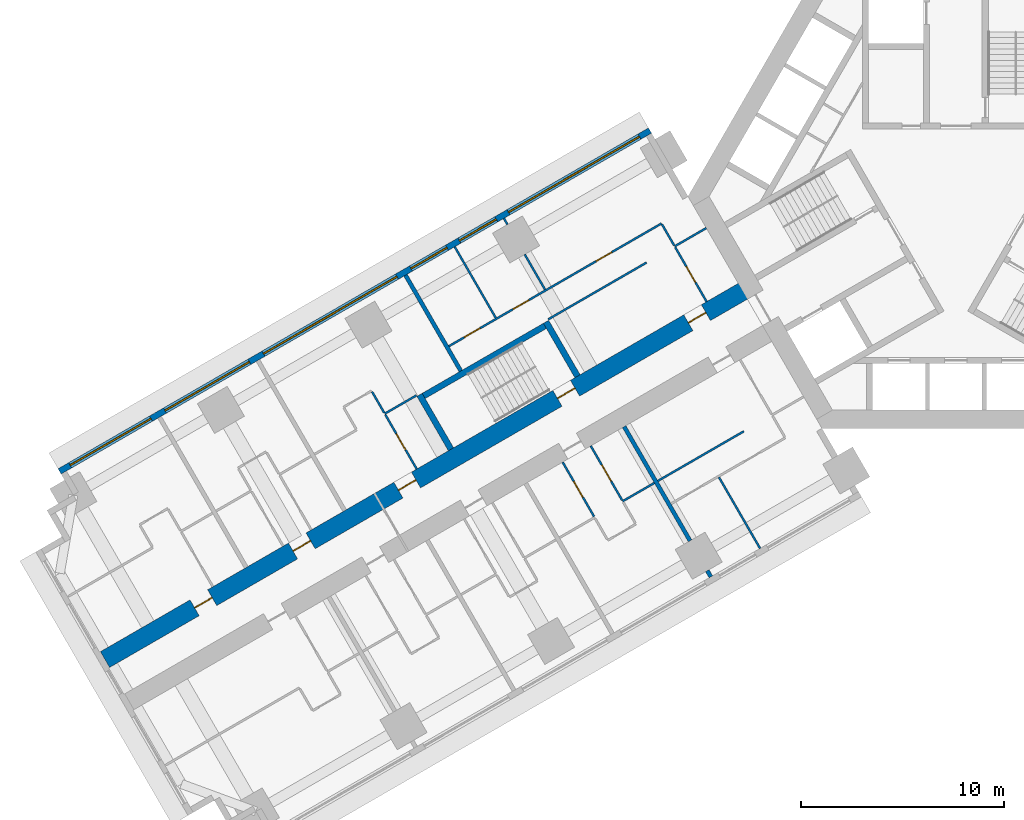
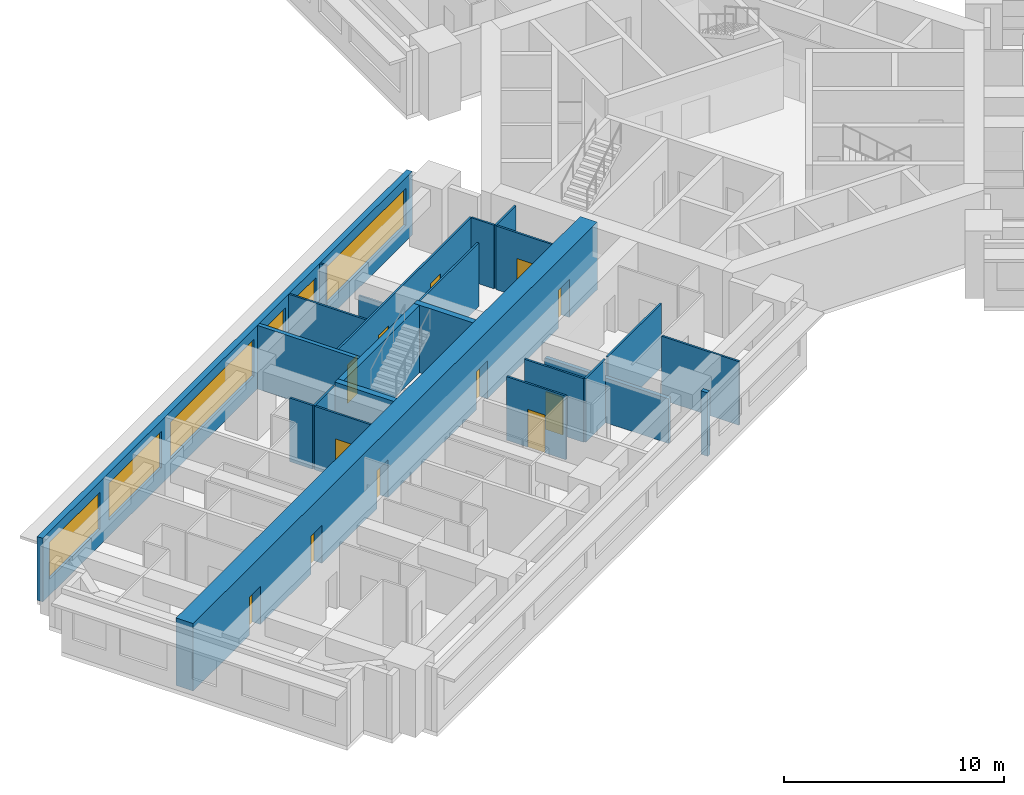
# One storey, part 5 of 16: 24 walls, 12 doors, 6 windows, 18 openings.
"""IFC4 building model written with IfcOpenShell, lengths in metres."""

from ifc_helpers import new_model, si_unit, direction, frame, frame_2d, origin, place, context, subcontext, project, spatial, rectangle, extrude, material, layer, layer_set, type_object, element, fill, save


model = new_model("IFC4")

# Units and contexts
model_context = context("Model", 3, precision=1e-05, world=origin(), true_north=direction((0.0, 1.0)))
body_context = subcontext(model_context, "Body", "Model", "MODEL_VIEW")
ifc_project = project(units=[si_unit("LENGTHUNIT", "METRE"), si_unit("AREAUNIT", "SQUARE_METRE"), si_unit("VOLUMEUNIT", "CUBIC_METRE"), si_unit("PLANEANGLEUNIT", "RADIAN"), si_unit("MASSUNIT", "GRAM", prefix="KILO")], contexts=[model_context])

# Site, building, storey
site_placement = place(None, origin())
site = spatial("IfcSite", under=ifc_project, at=site_placement, CompositionType="ELEMENT")
building_placement = place(site_placement, origin())
building = spatial("IfcBuilding", under=site, at=building_placement, Name="Impinga Residences", CompositionType="ELEMENT")
storey_placement = place(building_placement, frame((0.0, 0.0, 37.25)))
storey = spatial("IfcBuildingStorey", under=building, at=storey_placement, Name="L08", CompositionType="ELEMENT", Elevation=37.25)

# Wall, openings, doors
ifc_material_1 = material(Name="Concrete C70/85", Category="concrete")
ifc_layer_1 = layer(ifc_material_1, 0.89990234375)
ifc_layer_set_1 = layer_set([ifc_layer_1], Name="Concrete C70/85")
wall_type_1 = type_object("IfcWallType", Name="BW1 corridor buttress wall, L05 to L22 900", PredefinedType="SHEAR", material=ifc_layer_set_1)
wall_1_placement = place(storey_placement, frame((-10.1103515625, -4.451416015625, 0.0), z_axis=(0.0, 0.0, 1.0), x_axis=(-0.866025284237, -0.500000207062, 0.0)))
wall_1 = element("IfcWall", 1, at=wall_1_placement, inside=storey, type_object=wall_type_1, Name="Corridor wall BW1 WD L08", PredefinedType="SHEAR", context=body_context, shape_type="SweptSolid", body=[
    extrude(rectangle(XDim=36.75, YDim=0.89990234375, at=frame_2d((18.375, 0.0))), origin(), (0.0, 0.0, 1.0), 3.75),
])
opening_1_placement = place(wall_1_placement, frame((10.0, 0.0, 0.0)))
opening_1 = element("IfcOpeningElement", 2, at=opening_1_placement, cuts=wall_1, Name="Opening D5", PredefinedType="OPENING", context=body_context, shape_type="SweptSolid", body=[
    extrude(rectangle(XDim=1.0, YDim=2.10009765625, at=frame_2d((0.5, 1.050048828125))), frame((0.0, 0.4599609375, 0.0), z_axis=(0.0, -1.0, 0.0), x_axis=(1.0, 0.0, 0.0)), (0.0, 0.0, 1.0), 0.919921875),
])
opening_2_placement = place(wall_1_placement, frame((2.550048828125, 0.0, 0.0)))
opening_2 = element("IfcOpeningElement", 3, at=opening_2_placement, cuts=wall_1, Name="Opening D1", PredefinedType="OPENING", context=body_context, shape_type="SweptSolid", body=[
    extrude(rectangle(XDim=1.0, YDim=2.10009765625, at=frame_2d((0.5, 1.050048828125))), frame((0.0, 0.4599609375, 0.0), z_axis=(0.0, -1.0, 0.0), x_axis=(1.0, 0.0, 0.0)), (0.0, 0.0, 1.0), 0.919921875),
])
opening_3_placement = place(wall_1_placement, frame((19.050048828125, 0.0, 0.0)))
opening_3 = element("IfcOpeningElement", 4, at=opening_3_placement, cuts=wall_1, Name="Opening D1", PredefinedType="OPENING", context=body_context, shape_type="SweptSolid", body=[
    extrude(rectangle(XDim=1.0, YDim=2.10009765625, at=frame_2d((0.5, 1.050048828125))), frame((0.0, 0.4599609375, 0.0), z_axis=(0.0, -1.0, 0.0), x_axis=(1.0, 0.0, 0.0)), (0.0, 0.0, 1.0), 0.919921875),
])
opening_4_placement = place(wall_1_placement, frame((25.050048828125, 0.0, 0.0)))
opening_4 = element("IfcOpeningElement", 5, at=opening_4_placement, cuts=wall_1, Name="Opening D1", PredefinedType="OPENING", context=body_context, shape_type="SweptSolid", body=[
    extrude(rectangle(XDim=1.0, YDim=2.10009765625, at=frame_2d((0.5, 1.050048828125))), frame((0.0, 0.4599609375, 0.0), z_axis=(0.0, -1.0, 0.0), x_axis=(1.0, 0.0, 0.0)), (0.0, 0.0, 1.0), 0.919921875),
])
opening_5_placement = place(wall_1_placement, frame((30.64990234375, 0.0, 0.0)))
opening_5 = element("IfcOpeningElement", 6, at=opening_5_placement, cuts=wall_1, Name="Opening D1", PredefinedType="OPENING", context=body_context, shape_type="SweptSolid", body=[
    extrude(rectangle(XDim=1.0, YDim=2.10009765625, at=frame_2d((0.5, 1.050048828125))), frame((0.0, 0.4599609375, 0.0), z_axis=(0.0, -1.0, 0.0), x_axis=(1.0, 0.0, 0.0)), (0.0, 0.0, 1.0), 0.919921875),
])
ifc_material_2 = material(Name="Timber door set", Category="wood")
door_type_1 = type_object("IfcDoorType", Name="D1 apartment entrance door 1000x2100", OperationType="SINGLE_SWING_LEFT", PredefinedType="DOOR", material=ifc_material_2)
door_1_placement = place(opening_2_placement, origin())
door_1 = element("IfcDoor", 7, at=door_1_placement, inside=storey, type_object=door_type_1, Name="Apartment L08-WF1 entrance", OperationType="SINGLE_SWING_LEFT", OverallHeight=2.10009765625, OverallWidth=1.0, PredefinedType="DOOR", context=body_context, shape_type="SweptSolid", body=[
    extrude(rectangle(XDim=1.0, YDim=2.10009765625, at=frame_2d((0.5, 1.050048828125))), frame((0.0, 0.02490234375, 0.0), z_axis=(0.0, -1.0, 0.0), x_axis=(1.0, 0.0, 0.0)), (0.0, 0.0, 1.0), 0.050048828125),
])
fill(opening_2, door_1)
door_2_placement = place(opening_3_placement, origin())
door_2 = element("IfcDoor", 8, at=door_2_placement, inside=storey, type_object=door_type_1, Name="Apartment L08-WF2 entrance", OperationType="SINGLE_SWING_RIGHT", OverallHeight=2.10009765625, OverallWidth=1.0, PredefinedType="DOOR", context=body_context, shape_type="SweptSolid", body=[
    extrude(rectangle(XDim=1.0, YDim=2.10009765625, at=frame_2d((0.5, 1.050048828125))), frame((0.0, 0.02490234375, 0.0), z_axis=(0.0, -1.0, 0.0), x_axis=(1.0, 0.0, 0.0)), (0.0, 0.0, 1.0), 0.050048828125),
])
fill(opening_3, door_2)
door_3_placement = place(opening_4_placement, origin())
door_3 = element("IfcDoor", 9, at=door_3_placement, inside=storey, type_object=door_type_1, Name="Apartment L08-WF3 entrance", OperationType="SINGLE_SWING_RIGHT", OverallHeight=2.10009765625, OverallWidth=1.0, PredefinedType="DOOR", context=body_context, shape_type="SweptSolid", body=[
    extrude(rectangle(XDim=1.0, YDim=2.10009765625, at=frame_2d((0.5, 1.050048828125))), frame((0.0, 0.02490234375, 0.0), z_axis=(0.0, -1.0, 0.0), x_axis=(1.0, 0.0, 0.0)), (0.0, 0.0, 1.0), 0.050048828125),
])
fill(opening_4, door_3)
door_4_placement = place(opening_5_placement, origin())
door_4 = element("IfcDoor", 10, at=door_4_placement, inside=storey, type_object=door_type_1, Name="Apartment L08-WF4 entrance", OperationType="SINGLE_SWING_RIGHT", OverallHeight=2.10009765625, OverallWidth=1.0, PredefinedType="DOOR", context=body_context, shape_type="SweptSolid", body=[
    extrude(rectangle(XDim=1.0, YDim=2.10009765625, at=frame_2d((0.5, 1.050048828125))), frame((0.0, 0.02490234375, 0.0), z_axis=(0.0, -1.0, 0.0), x_axis=(1.0, 0.0, 0.0)), (0.0, 0.0, 1.0), 0.050048828125),
])
fill(opening_5, door_4)
door_type_2 = type_object("IfcDoorType", Name="D5 stair door 1000x2100", OperationType="SINGLE_SWING_LEFT", PredefinedType="DOOR", material=ifc_material_2)
door_5_placement = place(opening_1_placement, origin())
door_5 = element("IfcDoor", 11, at=door_5_placement, inside=storey, type_object=door_type_2, Name="Wing stair door W", OperationType="SINGLE_SWING_LEFT", OverallHeight=2.10009765625, OverallWidth=1.0, PredefinedType="DOOR", context=body_context, shape_type="SweptSolid", body=[
    extrude(rectangle(XDim=1.0, YDim=2.10009765625, at=frame_2d((0.5, 1.050048828125))), frame((0.0, 0.02490234375, 0.0), z_axis=(0.0, -1.0, 0.0), x_axis=(1.0, 0.0, 0.0)), (0.0, 0.0, 1.0), 0.050048828125),
])
fill(opening_1, door_5)

# Wall, openings, windows
ifc_material_3 = material(Name="Terracotta rainscreen on blockwork", Category="masonry")
ifc_layer_2 = layer(ifc_material_3, 0.300048828125)
ifc_layer_set_2 = layer_set([ifc_layer_2], Name="EW1 external wall, terracotta rainscreen on blockwork 300")
wall_type_2 = type_object("IfcWallType", Name="EW1 external wall, terracotta rainscreen on blockwork 300", PredefinedType="SOLIDWALL", material=ifc_layer_set_2)
wall_2_placement = place(storey_placement, frame((-44.17333984375, -13.552490234375, 0.0), z_axis=(0.0, 0.0, 1.0), x_axis=(0.866024291668, 0.500001926238, 0.0)))
wall_2 = element("IfcWall", 12, at=wall_2_placement, inside=storey, type_object=wall_type_2, Name="External wall EW1 L08", PredefinedType="SOLIDWALL", context=body_context, shape_type="SweptSolid", body=[
    extrude(rectangle(XDim=33.599853515625, YDim=0.300048828125, at=frame_2d((16.7998046875, 0.0))), origin(), (0.0, 0.0, 1.0), 3.530029296875),
])
opening_6_placement = place(wall_2_placement, frame((0.60009765625, 0.0, 0.89990234375)))
opening_6 = element("IfcOpeningElement", 13, at=opening_6_placement, cuts=wall_2, Name="Opening W3", PredefinedType="OPENING", context=body_context, shape_type="SweptSolid", body=[
    extrude(rectangle(XDim=4.60009765625, YDim=2.050048828125, at=frame_2d((2.300048828125, 1.02490234375))), frame((0.0, 0.159912109375, 0.0), z_axis=(0.0, -1.0, 0.0), x_axis=(1.0, 0.0, 0.0)), (0.0, 0.0, 1.0), 0.320068359375),
])
opening_7_placement = place(wall_2_placement, frame((6.0, 0.0, 0.89990234375)))
opening_7 = element("IfcOpeningElement", 14, at=opening_7_placement, cuts=wall_2, Name="Opening W8", PredefinedType="OPENING", context=body_context, shape_type="SweptSolid", body=[
    extrude(rectangle(XDim=4.800048828125, YDim=2.050048828125, at=frame_2d((2.39990234375, 1.02490234375))), frame((0.0, 0.159912109375, 0.0), z_axis=(0.0, -1.0, 0.0), x_axis=(1.0, 0.0, 0.0)), (0.0, 0.0, 1.0), 0.320068359375),
])
opening_8_placement = place(wall_2_placement, frame((11.60009765625, 0.0, 0.89990234375)))
opening_8 = element("IfcOpeningElement", 15, at=opening_8_placement, cuts=wall_2, Name="Opening W5", PredefinedType="OPENING", context=body_context, shape_type="SweptSolid", body=[
    extrude(rectangle(XDim=7.60009765625, YDim=2.050048828125, at=frame_2d((3.800048828125, 1.02490234375))), frame((0.0, 0.159912109375, 0.0), z_axis=(0.0, -1.0, 0.0), x_axis=(1.0, 0.0, 0.0)), (0.0, 0.0, 1.0), 0.320068359375),
])
opening_9_placement = place(wall_2_placement, frame((20.0, 0.0, 0.89990234375)))
opening_9 = element("IfcOpeningElement", 16, at=opening_9_placement, cuts=wall_2, Name="Opening W14", PredefinedType="OPENING", context=body_context, shape_type="SweptSolid", body=[
    extrude(rectangle(XDim=2.050048828125, YDim=2.050048828125, at=frame_2d((1.02490234375, 1.02490234375))), frame((0.0, 0.159912109375, 0.0), z_axis=(0.0, -1.0, 0.0), x_axis=(1.0, 0.0, 0.0)), (0.0, 0.0, 1.0), 0.320068359375),
])
opening_10_placement = place(wall_2_placement, frame((22.75, 0.0, 0.89990234375)))
opening_10 = element("IfcOpeningElement", 17, at=opening_10_placement, cuts=wall_2, Name="Opening W9", PredefinedType="OPENING", context=body_context, shape_type="SweptSolid", body=[
    extrude(rectangle(XDim=2.10009765625, YDim=2.050048828125, at=frame_2d((1.050048828125, 1.02490234375))), frame((0.0, 0.159912109375, 0.0), z_axis=(0.0, -1.0, 0.0), x_axis=(1.0, 0.0, 0.0)), (0.0, 0.0, 1.0), 0.320068359375),
])
opening_11_placement = place(wall_2_placement, frame((25.550048828125, 0.0, 0.89990234375)))
opening_11 = element("IfcOpeningElement", 18, at=opening_11_placement, cuts=wall_2, Name="Opening W7", PredefinedType="OPENING", context=body_context, shape_type="SweptSolid", body=[
    extrude(rectangle(XDim=7.449951171875, YDim=2.050048828125, at=frame_2d((3.72509765625, 1.02490234375))), frame((0.0, 0.159912109375, 0.0), z_axis=(0.0, -1.0, 0.0), x_axis=(1.0, 0.0, 0.0)), (0.0, 0.0, 1.0), 0.320068359375),
])
ifc_material_4 = material(Name="Aluminium window, clear double glazing", Category="aluminium")
window_type_1 = type_object("IfcWindowType", Name="W14 ribbon window 2050x2050", PartitioningType="SINGLE_PANEL", PredefinedType="WINDOW", material=ifc_material_4)
window_1_placement = place(opening_9_placement, origin())
window_1 = element("IfcWindow", 19, at=window_1_placement, inside=storey, type_object=window_type_1, Name="Window L08", OverallHeight=2.050048828125, OverallWidth=2.050048828125, PartitioningType="SINGLE_PANEL", PredefinedType="WINDOW", context=body_context, shape_type="SweptSolid", body=[
    extrude(rectangle(XDim=2.050048828125, YDim=2.050048828125, at=frame_2d((1.02490234375, 1.02490234375))), frame((0.0, 0.030029296875, 0.0), z_axis=(0.0, -1.0, 0.0), x_axis=(1.0, 0.0, 0.0)), (0.0, 0.0, 1.0), 0.06005859375),
])
fill(opening_9, window_1)
window_type_2 = type_object("IfcWindowType", Name="W3 ribbon window 4600x2050", PartitioningType="SINGLE_PANEL", PredefinedType="WINDOW", material=ifc_material_4)
window_2_placement = place(opening_6_placement, origin())
window_2 = element("IfcWindow", 20, at=window_2_placement, inside=storey, type_object=window_type_2, Name="Window L08", OverallHeight=2.050048828125, OverallWidth=4.60009765625, PartitioningType="SINGLE_PANEL", PredefinedType="WINDOW", context=body_context, shape_type="SweptSolid", body=[
    extrude(rectangle(XDim=4.60009765625, YDim=2.050048828125, at=frame_2d((2.300048828125, 1.02490234375))), frame((0.0, 0.030029296875, 0.0), z_axis=(0.0, -1.0, 0.0), x_axis=(1.0, 0.0, 0.0)), (0.0, 0.0, 1.0), 0.06005859375),
])
fill(opening_6, window_2)
window_type_3 = type_object("IfcWindowType", Name="W5 ribbon window 7600x2050", PartitioningType="SINGLE_PANEL", PredefinedType="WINDOW", material=ifc_material_4)
window_3_placement = place(opening_8_placement, origin())
window_3 = element("IfcWindow", 21, at=window_3_placement, inside=storey, type_object=window_type_3, Name="Window L08", OverallHeight=2.050048828125, OverallWidth=7.60009765625, PartitioningType="SINGLE_PANEL", PredefinedType="WINDOW", context=body_context, shape_type="SweptSolid", body=[
    extrude(rectangle(XDim=7.60009765625, YDim=2.050048828125, at=frame_2d((3.800048828125, 1.02490234375))), frame((0.0, 0.030029296875, 0.0), z_axis=(0.0, -1.0, 0.0), x_axis=(1.0, 0.0, 0.0)), (0.0, 0.0, 1.0), 0.06005859375),
])
fill(opening_8, window_3)
window_type_4 = type_object("IfcWindowType", Name="W7 ribbon window 7450x2050", PartitioningType="SINGLE_PANEL", PredefinedType="WINDOW", material=ifc_material_4)
window_4_placement = place(opening_11_placement, origin())
window_4 = element("IfcWindow", 22, at=window_4_placement, inside=storey, type_object=window_type_4, Name="Window L08", OverallHeight=2.050048828125, OverallWidth=7.449951171875, PartitioningType="SINGLE_PANEL", PredefinedType="WINDOW", context=body_context, shape_type="SweptSolid", body=[
    extrude(rectangle(XDim=7.449951171875, YDim=2.050048828125, at=frame_2d((3.72509765625, 1.02490234375))), frame((0.0, 0.030029296875, 0.0), z_axis=(0.0, -1.0, 0.0), x_axis=(1.0, 0.0, 0.0)), (0.0, 0.0, 1.0), 0.06005859375),
])
fill(opening_11, window_4)
window_type_5 = type_object("IfcWindowType", Name="W8 ribbon window 4800x2050", PartitioningType="SINGLE_PANEL", PredefinedType="WINDOW", material=ifc_material_4)
window_5_placement = place(opening_7_placement, origin())
window_5 = element("IfcWindow", 23, at=window_5_placement, inside=storey, type_object=window_type_5, Name="Window L08", OverallHeight=2.050048828125, OverallWidth=4.800048828125, PartitioningType="SINGLE_PANEL", PredefinedType="WINDOW", context=body_context, shape_type="SweptSolid", body=[
    extrude(rectangle(XDim=4.800048828125, YDim=2.050048828125, at=frame_2d((2.39990234375, 1.02490234375))), frame((0.0, 0.030029296875, 0.0), z_axis=(0.0, -1.0, 0.0), x_axis=(1.0, 0.0, 0.0)), (0.0, 0.0, 1.0), 0.06005859375),
])
fill(opening_7, window_5)
window_type_6 = type_object("IfcWindowType", Name="W9 ribbon window 2100x2050", PartitioningType="SINGLE_PANEL", PredefinedType="WINDOW", material=ifc_material_4)
window_6_placement = place(opening_10_placement, origin())
window_6 = element("IfcWindow", 24, at=window_6_placement, inside=storey, type_object=window_type_6, Name="Window L08", OverallHeight=2.050048828125, OverallWidth=2.10009765625, PartitioningType="SINGLE_PANEL", PredefinedType="WINDOW", context=body_context, shape_type="SweptSolid", body=[
    extrude(rectangle(XDim=2.10009765625, YDim=2.050048828125, at=frame_2d((1.050048828125, 1.02490234375))), frame((0.0, 0.030029296875, 0.0), z_axis=(0.0, -1.0, 0.0), x_axis=(1.0, 0.0, 0.0)), (0.0, 0.0, 1.0), 0.06005859375),
])
fill(opening_10, window_6)

# Walls
ifc_material_5 = material(Name="Gypsum board on steel studs", Category="steel")
ifc_layer_3 = layer(ifc_material_5, 0.10009765625)
ifc_layer_set_3 = layer_set([ifc_layer_3], Name="Gypsum board on steel studs")
wall_type_3 = type_object("IfcWallType", Name="IP1 partition 100", PredefinedType="PARTITIONING", material=ifc_layer_set_3)
wall_3_placement = place(storey_placement, frame((-10.444580078125, -11.57275390625, 0.0), z_axis=(0.0, 0.0, 1.0), x_axis=(-0.866023786258, -0.500002801628, 0.0)))
element("IfcWall", 25, at=wall_3_placement, inside=storey, type_object=wall_type_3, Name="Partition L08-WA1:DIV1", PredefinedType="PARTITIONING", context=body_context, shape_type="SweptSolid", body=[
    extrude(rectangle(XDim=4.89990234375, YDim=0.10009765625, at=frame_2d((2.449951171875, 0.0))), origin(), (0.0, 0.0, 1.0), 3.530029296875),
])
wall_4_placement = place(storey_placement, frame((-11.6748046875, -13.841796875, 0.0), z_axis=(0.0, 0.0, 1.0), x_axis=(0.500035537042, -0.866004885491, 0.0)))
element("IfcWall", 26, at=wall_4_placement, inside=storey, type_object=wall_type_3, Name="Partition L08-WA1:OB1", PredefinedType="PARTITIONING", context=body_context, shape_type="SweptSolid", body=[
    extrude(rectangle(XDim=4.050048828125, YDim=0.10009765625, at=frame_2d((2.02490234375, 0.0))), origin(), (0.0, 0.0, 1.0), 3.530029296875),
])
wall_5_placement = place(storey_placement, frame((-14.861328125, -14.122802734375, 0.0), z_axis=(0.0, 0.0, 1.0), x_axis=(-0.866047807691, -0.499961193289, 0.0)))
element("IfcWall", 27, at=wall_5_placement, inside=storey, type_object=wall_type_3, Name="Partition L08-WA2:DIV0", PredefinedType="PARTITIONING", context=body_context, shape_type="SweptSolid", body=[
    extrude(rectangle(XDim=1.800048828125, YDim=0.10009765625, at=frame_2d((0.89990234375, 0.0))), origin(), (0.0, 0.0, 1.0), 3.530029296875),
])

# Wall, opening, door
wall_6_placement = place(storey_placement, frame((-17.9951171875, -12.294677734375, 0.0), z_axis=(0.0, 0.0, 1.0), x_axis=(0.49999285859, -0.86602952684, 0.0)))
wall_6 = element("IfcWall", 28, at=wall_6_placement, inside=storey, type_object=wall_type_3, Name="Partition L08-WA2:IB1", PredefinedType="PARTITIONING", context=body_context, shape_type="SweptSolid", body=[
    extrude(rectangle(XDim=3.10009765625, YDim=0.10009765625, at=frame_2d((1.550048828125, 0.0))), origin(), (0.0, 0.0, 1.0), 3.530029296875),
])
opening_12_placement = place(wall_6_placement, frame((1.10009765625, 0.0, 0.0)))
opening_12 = element("IfcOpeningElement", 29, at=opening_12_placement, cuts=wall_6, Name="Opening D2", PredefinedType="OPENING", context=body_context, shape_type="SweptSolid", body=[
    extrude(rectangle(XDim=0.89990234375, YDim=2.10009765625, at=frame_2d((0.449951171875, 1.050048828125))), frame((0.0, 0.06005859375, 0.0), z_axis=(0.0, -1.0, 0.0), x_axis=(1.0, 0.0, 0.0)), (0.0, 0.0, 1.0), 0.1201171875),
])
door_type_3 = type_object("IfcDoorType", Name="D2 internal door 900x2100", OperationType="SINGLE_SWING_LEFT", PredefinedType="DOOR", material=ifc_material_2)
door_6_placement = place(opening_12_placement, origin())
door_6 = element("IfcDoor", 30, at=door_6_placement, inside=storey, type_object=door_type_3, Name="Apartment L08-WA2 bathroom door", OperationType="SINGLE_SWING_LEFT", OverallHeight=2.10009765625, OverallWidth=0.89990234375, PredefinedType="DOOR", context=body_context, shape_type="SweptSolid", body=[
    extrude(rectangle(XDim=0.89990234375, YDim=2.10009765625, at=frame_2d((0.449951171875, 1.050048828125))), frame((0.0, 0.02490234375, 0.0), z_axis=(0.0, -1.0, 0.0), x_axis=(1.0, 0.0, 0.0)), (0.0, 0.0, 1.0), 0.050048828125),
])
fill(opening_12, door_6)

wall_7_placement = place(storey_placement, frame((-19.380615234375, -13.0947265625, 0.0), z_axis=(0.0, 0.0, 1.0), x_axis=(0.499967891604, -0.866043940782, 0.0)))
wall_7 = element("IfcWall", 31, at=wall_7_placement, inside=storey, type_object=wall_type_3, Name="Partition L08-WA2:IB2", PredefinedType="PARTITIONING", context=body_context, shape_type="SweptSolid", body=[
    extrude(rectangle(XDim=3.099853515625, YDim=0.10009765625, at=frame_2d((1.5498046875, 0.0))), origin(), (0.0, 0.0, 1.0), 3.530029296875),
])
opening_13_placement = place(wall_7_placement, frame((1.10009765625, 0.0, 0.0)))
opening_13 = element("IfcOpeningElement", 32, at=opening_13_placement, cuts=wall_7, Name="Opening D2", PredefinedType="OPENING", context=body_context, shape_type="SweptSolid", body=[
    extrude(rectangle(XDim=0.89990234375, YDim=2.10009765625, at=frame_2d((0.449951171875, 1.050048828125))), frame((0.0, 0.06005859375, 0.0), z_axis=(0.0, -1.0, 0.0), x_axis=(1.0, 0.0, 0.0)), (0.0, 0.0, 1.0), 0.1201171875),
])
door_7_placement = place(opening_13_placement, origin())
door_7 = element("IfcDoor", 33, at=door_7_placement, inside=storey, type_object=door_type_3, Name="Apartment L08-WA2 WC door", OperationType="SINGLE_SWING_LEFT", OverallHeight=2.10009765625, OverallWidth=0.89990234375, PredefinedType="DOOR", context=body_context, shape_type="SweptSolid", body=[
    extrude(rectangle(XDim=0.89990234375, YDim=2.10009765625, at=frame_2d((0.449951171875, 1.050048828125))), frame((0.0, 0.02490234375, 0.0), z_axis=(0.0, -1.0, 0.0), x_axis=(1.0, 0.0, 0.0)), (0.0, 0.0, 1.0), 0.050048828125),
])
fill(opening_13, door_7)

# Walls
wall_8_placement = place(storey_placement, frame((-12.300048828125, -1.558837890625, 0.0), z_axis=(0.0, 0.0, 1.0), x_axis=(-0.866047807691, -0.499961193289, 0.0)))
element("IfcWall", 34, at=wall_8_placement, inside=storey, type_object=wall_type_3, Name="Partition L08-WF1:DIV0", PredefinedType="PARTITIONING", context=body_context, shape_type="SweptSolid", body=[
    extrude(rectangle(XDim=1.800048828125, YDim=0.10009765625, at=frame_2d((0.89990234375, 0.0))), origin(), (0.0, 0.0, 1.0), 3.530029296875),
])
wall_9_placement = place(storey_placement, frame((-15.244384765625, -3.2587890625, 0.0), z_axis=(0.0, 0.0, 1.0), x_axis=(-0.866026594901, -0.49999793692, 0.0)))
element("IfcWall", 35, at=wall_9_placement, inside=storey, type_object=wall_type_3, Name="Partition L08-WF1:DIV1", PredefinedType="PARTITIONING", context=body_context, shape_type="SweptSolid", body=[
    extrude(rectangle(XDim=5.60009765625, YDim=0.10009765625, at=frame_2d((2.800048828125, 0.0))), origin(), (0.0, 0.0, 1.0), 3.530029296875),
])

# Wall, openings, doors
wall_10_placement = place(storey_placement, frame((-14.5087890625, -1.3330078125, 0.0), z_axis=(0.0, 0.0, 1.0), x_axis=(-0.866025650635, -0.499999572443, 0.0)))
wall_10 = element("IfcWall", 36, at=wall_10_placement, inside=storey, type_object=wall_type_3, Name="Partition L08-WF1:STRIP", PredefinedType="PARTITIONING", context=body_context, shape_type="SweptSolid", body=[
    extrude(rectangle(XDim=12.10009765625, YDim=0.10009765625, at=frame_2d((6.050048828125, 0.0))), origin(), (0.0, 0.0, 1.0), 3.530029296875),
])
opening_14_placement = place(wall_10_placement, frame((2.824951171875, 0.0, 0.0)))
opening_14 = element("IfcOpeningElement", 37, at=opening_14_placement, cuts=wall_10, Name="Opening D2", PredefinedType="OPENING", context=body_context, shape_type="SweptSolid", body=[
    extrude(rectangle(XDim=0.89990234375, YDim=2.10009765625, at=frame_2d((0.449951171875, 1.050048828125))), frame((0.0, 0.06005859375, 0.0), z_axis=(0.0, -1.0, 0.0), x_axis=(1.0, 0.0, 0.0)), (0.0, 0.0, 1.0), 0.1201171875),
])
opening_15_placement = place(wall_10_placement, frame((7.550048828125, 0.0, 0.0)))
opening_15 = element("IfcOpeningElement", 38, at=opening_15_placement, cuts=wall_10, Name="Opening D2", PredefinedType="OPENING", context=body_context, shape_type="SweptSolid", body=[
    extrude(rectangle(XDim=0.89990234375, YDim=2.10009765625, at=frame_2d((0.449951171875, 1.050048828125))), frame((0.0, 0.06005859375, 0.0), z_axis=(0.0, -1.0, 0.0), x_axis=(1.0, 0.0, 0.0)), (0.0, 0.0, 1.0), 0.1201171875),
])
opening_16_placement = place(wall_10_placement, frame((10.324951171875, 0.0, 0.0)))
opening_16 = element("IfcOpeningElement", 39, at=opening_16_placement, cuts=wall_10, Name="Opening D2", PredefinedType="OPENING", context=body_context, shape_type="SweptSolid", body=[
    extrude(rectangle(XDim=0.89990234375, YDim=2.10009765625, at=frame_2d((0.449951171875, 1.050048828125))), frame((0.0, 0.06005859375, 0.0), z_axis=(0.0, -1.0, 0.0), x_axis=(1.0, 0.0, 0.0)), (0.0, 0.0, 1.0), 0.1201171875),
])
door_8_placement = place(opening_14_placement, origin())
door_8 = element("IfcDoor", 40, at=door_8_placement, inside=storey, type_object=door_type_3, Name="Apartment L08-WF1 room door", OperationType="SINGLE_SWING_LEFT", OverallHeight=2.10009765625, OverallWidth=0.89990234375, PredefinedType="DOOR", context=body_context, shape_type="SweptSolid", body=[
    extrude(rectangle(XDim=0.89990234375, YDim=2.10009765625, at=frame_2d((0.449951171875, 1.050048828125))), frame((0.0, 0.02490234375, 0.0), z_axis=(0.0, -1.0, 0.0), x_axis=(1.0, 0.0, 0.0)), (0.0, 0.0, 1.0), 0.050048828125),
])
fill(opening_14, door_8)
door_9_placement = place(opening_15_placement, origin())
door_9 = element("IfcDoor", 41, at=door_9_placement, inside=storey, type_object=door_type_3, Name="Apartment L08-WF1 room door", OperationType="SINGLE_SWING_RIGHT", OverallHeight=2.10009765625, OverallWidth=0.89990234375, PredefinedType="DOOR", context=body_context, shape_type="SweptSolid", body=[
    extrude(rectangle(XDim=0.89990234375, YDim=2.10009765625, at=frame_2d((0.449951171875, 1.050048828125))), frame((0.0, 0.02490234375, 0.0), z_axis=(0.0, -1.0, 0.0), x_axis=(1.0, 0.0, 0.0)), (0.0, 0.0, 1.0), 0.050048828125),
])
fill(opening_15, door_9)
door_10_placement = place(opening_16_placement, origin())
door_10 = element("IfcDoor", 42, at=door_10_placement, inside=storey, type_object=door_type_3, Name="Apartment L08-WF1 room door", OperationType="SINGLE_SWING_RIGHT", OverallHeight=2.10009765625, OverallWidth=0.89990234375, PredefinedType="DOOR", context=body_context, shape_type="SweptSolid", body=[
    extrude(rectangle(XDim=0.89990234375, YDim=2.10009765625, at=frame_2d((0.449951171875, 1.050048828125))), frame((0.0, 0.02490234375, 0.0), z_axis=(0.0, -1.0, 0.0), x_axis=(1.0, 0.0, 0.0)), (0.0, 0.0, 1.0), 0.050048828125),
])
fill(opening_16, door_10)

# Wall
wall_11_placement = place(storey_placement, frame((-13.8837890625, -2.41552734375, 0.0), z_axis=(0.0, 0.0, 1.0), x_axis=(-0.500033551112, 0.866006032174, 0.0)))
element("IfcWall", 43, at=wall_11_placement, inside=storey, type_object=wall_type_3, Name="Partition L08-WF1:SE0", PredefinedType="PARTITIONING", context=body_context, shape_type="SweptSolid", body=[
    extrude(rectangle(XDim=1.2001953125, YDim=0.10009765625, at=frame_2d((0.60009765625, 0.0))), origin(), (0.0, 0.0, 1.0), 3.530029296875),
])

# Wall, opening, door
wall_12_placement = place(storey_placement, frame((-12.283935546875, -5.186767578125, 0.0), z_axis=(0.0, 0.0, 1.0), x_axis=(-0.499967891604, 0.866043940782, 0.0)))
wall_12 = element("IfcWall", 44, at=wall_12_placement, inside=storey, type_object=wall_type_3, Name="Partition L08-WF1:IB1", PredefinedType="PARTITIONING", context=body_context, shape_type="SweptSolid", body=[
    extrude(rectangle(XDim=3.099853515625, YDim=0.10009765625, at=frame_2d((1.5498046875, 0.0))), origin(), (0.0, 0.0, 1.0), 3.530029296875),
])
opening_17_placement = place(wall_12_placement, frame((1.10009765625, 0.0, 0.0)))
opening_17 = element("IfcOpeningElement", 45, at=opening_17_placement, cuts=wall_12, Name="Opening D2", PredefinedType="OPENING", context=body_context, shape_type="SweptSolid", body=[
    extrude(rectangle(XDim=0.89990234375, YDim=2.10009765625, at=frame_2d((0.449951171875, 1.050048828125))), frame((0.0, 0.06005859375, 0.0), z_axis=(0.0, -1.0, 0.0), x_axis=(1.0, 0.0, 0.0)), (0.0, 0.0, 1.0), 0.1201171875),
])
door_11_placement = place(opening_17_placement, origin())
door_11 = element("IfcDoor", 46, at=door_11_placement, inside=storey, type_object=door_type_3, Name="Apartment L08-WF1 bathroom door", OperationType="SINGLE_SWING_LEFT", OverallHeight=2.10009765625, OverallWidth=0.89990234375, PredefinedType="DOOR", context=body_context, shape_type="SweptSolid", body=[
    extrude(rectangle(XDim=0.89990234375, YDim=2.10009765625, at=frame_2d((0.449951171875, 1.050048828125))), frame((0.0, 0.02490234375, 0.0), z_axis=(0.0, -1.0, 0.0), x_axis=(1.0, 0.0, 0.0)), (0.0, 0.0, 1.0), 0.050048828125),
])
fill(opening_17, door_11)

# Walls
wall_13_placement = place(storey_placement, frame((-20.24951171875, -4.589599609375, 0.0), z_axis=(0.0, 0.0, 1.0), x_axis=(-0.50002537861, 0.866010750942, 0.0)))
element("IfcWall", 47, at=wall_13_placement, inside=storey, type_object=wall_type_3, Name="Partition L08-WF1:OB1", PredefinedType="PARTITIONING", context=body_context, shape_type="SweptSolid", body=[
    extrude(rectangle(XDim=2.0, YDim=0.10009765625, at=frame_2d((1.0, 0.0))), origin(), (0.0, 0.0, 1.0), 2.47998046875),
])
wall_14_placement = place(storey_placement, frame((-22.099609375, -1.385498046875, 0.0), z_axis=(0.0, 0.0, 1.0), x_axis=(-0.49996389635, 0.866046247233, 0.0)))
element("IfcWall", 48, at=wall_14_placement, inside=storey, type_object=wall_type_3, Name="Partition L08-WF1:OB1b", PredefinedType="PARTITIONING", context=body_context, shape_type="SweptSolid", body=[
    extrude(rectangle(XDim=0.35009765625, YDim=0.10009765625, at=frame_2d((0.175048828125, 0.0))), origin(), (0.0, 0.0, 1.0), 3.530029296875),
])
wall_15_placement = place(storey_placement, frame((-22.674560546875, -5.98974609375, 0.0), z_axis=(0.0, 0.0, 1.0), x_axis=(-0.499990325971, 0.866030989016, 0.0)))
element("IfcWall", 49, at=wall_15_placement, inside=storey, type_object=wall_type_3, Name="Partition L08-WF1:OB2", PredefinedType="PARTITIONING", context=body_context, shape_type="SweptSolid", body=[
    extrude(rectangle(XDim=4.0498046875, YDim=0.10009765625, at=frame_2d((2.02490234375, 0.0))), origin(), (0.0, 0.0, 1.0), 3.530029296875),
])
wall_16_placement = place(storey_placement, frame((-26.58935546875, -9.808837890625, 0.0), z_axis=(0.0, 0.0, 1.0), x_axis=(-0.866047807691, -0.499961193289, 0.0)))
element("IfcWall", 50, at=wall_16_placement, inside=storey, type_object=wall_type_3, Name="Partition L08-WF2:DIV0", PredefinedType="PARTITIONING", context=body_context, shape_type="SweptSolid", body=[
    extrude(rectangle(XDim=1.800048828125, YDim=0.10009765625, at=frame_2d((0.89990234375, 0.0))), origin(), (0.0, 0.0, 1.0), 3.530029296875),
])
wall_17_placement = place(storey_placement, frame((-28.17333984375, -10.66552734375, 0.0), z_axis=(0.0, 0.0, 1.0), x_axis=(-0.499880961361, 0.866094119867, 0.0)))
element("IfcWall", 51, at=wall_17_placement, inside=storey, type_object=wall_type_3, Name="Partition L08-WF2:SE0", PredefinedType="PARTITIONING", context=body_context, shape_type="SweptSolid", body=[
    extrude(rectangle(XDim=1.199951171875, YDim=0.10009765625, at=frame_2d((0.60009765625, 0.0))), origin(), (0.0, 0.0, 1.0), 3.530029296875),
])

# Wall, opening, door
wall_18_placement = place(storey_placement, frame((-26.5732421875, -13.436767578125, 0.0), z_axis=(0.0, 0.0, 1.0), x_axis=(-0.500026960575, 0.86600983753, 0.0)))
wall_18 = element("IfcWall", 52, at=wall_18_placement, inside=storey, type_object=wall_type_3, Name="Partition L08-WF2:IB1", PredefinedType="PARTITIONING", context=body_context, shape_type="SweptSolid", body=[
    extrude(rectangle(XDim=3.099853515625, YDim=0.10009765625, at=frame_2d((1.5498046875, 0.0))), origin(), (0.0, 0.0, 1.0), 3.530029296875),
])
opening_18_placement = place(wall_18_placement, frame((1.10009765625, 0.0, 0.0)))
opening_18 = element("IfcOpeningElement", 53, at=opening_18_placement, cuts=wall_18, Name="Opening D2", PredefinedType="OPENING", context=body_context, shape_type="SweptSolid", body=[
    extrude(rectangle(XDim=0.89990234375, YDim=2.10009765625, at=frame_2d((0.449951171875, 1.050048828125))), frame((0.0, 0.06005859375, 0.0), z_axis=(0.0, -1.0, 0.0), x_axis=(1.0, 0.0, 0.0)), (0.0, 0.0, 1.0), 0.1201171875),
])
door_12_placement = place(opening_18_placement, origin())
door_12 = element("IfcDoor", 54, at=door_12_placement, inside=storey, type_object=door_type_3, Name="Apartment L08-WF2 bathroom door", OperationType="SINGLE_SWING_LEFT", OverallHeight=2.10009765625, OverallWidth=0.89990234375, PredefinedType="DOOR", context=body_context, shape_type="SweptSolid", body=[
    extrude(rectangle(XDim=0.89990234375, YDim=2.10009765625, at=frame_2d((0.449951171875, 1.050048828125))), frame((0.0, 0.02490234375, 0.0), z_axis=(0.0, -1.0, 0.0), x_axis=(1.0, 0.0, 0.0)), (0.0, 0.0, 1.0), 0.050048828125),
])
fill(opening_18, door_12)

# Walls
ifc_material_6 = material(Name="Concrete blockwork", Category="masonry")
ifc_layer_4 = layer(ifc_material_6, 0.199951171875)
ifc_layer_set_4 = layer_set([ifc_layer_4], Name="PW1 party wall between apartments 200")
wall_type_4 = type_object("IfcWallType", Name="PW1 party wall between apartments 200", PredefinedType="SOLIDWALL", material=ifc_layer_set_4)
wall_19_placement = place(storey_placement, frame((-16.349609375, -11.3447265625, 0.0), z_axis=(0.0, 0.0, 1.0), x_axis=(0.50000098154, -0.866024837091, 0.0)))
element("IfcWall", 55, at=wall_19_placement, inside=storey, type_object=wall_type_4, Name="Party wall between apartments L08-WA1:PARTY", PredefinedType="SOLIDWALL", context=body_context, shape_type="SweptSolid", body=[
    extrude(rectangle(XDim=6.5, YDim=0.199951171875, at=frame_2d((3.25, 0.0))), origin(), (0.0, 0.0, 1.0), 2.47998046875),
])
wall_20_placement = place(storey_placement, frame((-12.24951171875, -18.446044921875, 0.0), z_axis=(0.0, 0.0, 1.0), x_axis=(0.499440622861, -0.866348119543, 0.0)))
element("IfcWall", 56, at=wall_20_placement, inside=storey, type_object=wall_type_4, Name="Party wall between apartments L08-WA1:PARTYb", PredefinedType="SOLIDWALL", context=body_context, shape_type="SweptSolid", body=[
    extrude(rectangle(XDim=0.35009765625, YDim=0.199951171875, at=frame_2d((0.175048828125, 0.0))), origin(), (0.0, 0.0, 1.0), 3.530029296875),
])
wall_21_placement = place(storey_placement, frame((-24.3994140625, -8.60205078125, 0.0), z_axis=(0.0, 0.0, 1.0), x_axis=(-0.499988730927, 0.866031909889, 0.0)))
element("IfcWall", 57, at=wall_21_placement, inside=storey, type_object=wall_type_4, Name="Party wall between apartments L08-WF1:PARTY", PredefinedType="SOLIDWALL", context=body_context, shape_type="SweptSolid", body=[
    extrude(rectangle(XDim=5.449951171875, YDim=0.199951171875, at=frame_2d((2.72509765625, 0.0))), origin(), (0.0, 0.0, 1.0), 3.530029296875),
])
ifc_material_7 = material(Name="Concrete C60/75", Category="concrete")
ifc_layer_5 = layer(ifc_material_7, 0.300048828125)
ifc_layer_set_5 = layer_set([ifc_layer_5], Name="Concrete C60/75")
wall_type_5 = type_object("IfcWallType", Name="SE1 wing stair enclosure wall 300", PredefinedType="SOLIDWALL", material=ifc_layer_set_5)
wall_22_placement = place(storey_placement, frame((-18.649169921875, -8.86181640625, 0.0), z_axis=(0.0, 0.0, 1.0), x_axis=(-0.500026960575, 0.86600983753, 0.0)))
element("IfcWall", 58, at=wall_22_placement, inside=storey, type_object=wall_type_5, Name="Stair enclosure wall SE1 W END0 L08", PredefinedType="SOLIDWALL", context=body_context, shape_type="SweptSolid", body=[
    extrude(rectangle(XDim=3.099853515625, YDim=0.300048828125, at=frame_2d((1.5498046875, 0.0))), origin(), (0.0, 0.0, 1.0), 3.75),
])
wall_23_placement = place(storey_placement, frame((-24.884521484375, -12.4619140625, 0.0), z_axis=(0.0, 0.0, 1.0), x_axis=(-0.49999285859, 0.86602952684, 0.0)))
element("IfcWall", 59, at=wall_23_placement, inside=storey, type_object=wall_type_5, Name="Stair enclosure wall SE1 W END1 L08", PredefinedType="SOLIDWALL", context=body_context, shape_type="SweptSolid", body=[
    extrude(rectangle(XDim=3.10009765625, YDim=0.300048828125, at=frame_2d((1.550048828125, 0.0))), origin(), (0.0, 0.0, 1.0), 3.75),
])
wall_24_placement = place(storey_placement, frame((-20.254150390625, -6.382080078125, 0.0), z_axis=(0.0, 0.0, 1.0), x_axis=(-0.866020008033, -0.500009345598, 0.0)))
element("IfcWall", 60, at=wall_24_placement, inside=storey, type_object=wall_type_5, Name="Stair enclosure wall SE1 W OUT L08", PredefinedType="SOLIDWALL", context=body_context, shape_type="SweptSolid", body=[
    extrude(rectangle(XDim=6.899658203125, YDim=0.300048828125, at=frame_2d((3.44970703125, 0.0))), origin(), (0.0, 0.0, 1.0), 3.75),
])

save(model, "model.ifc")
